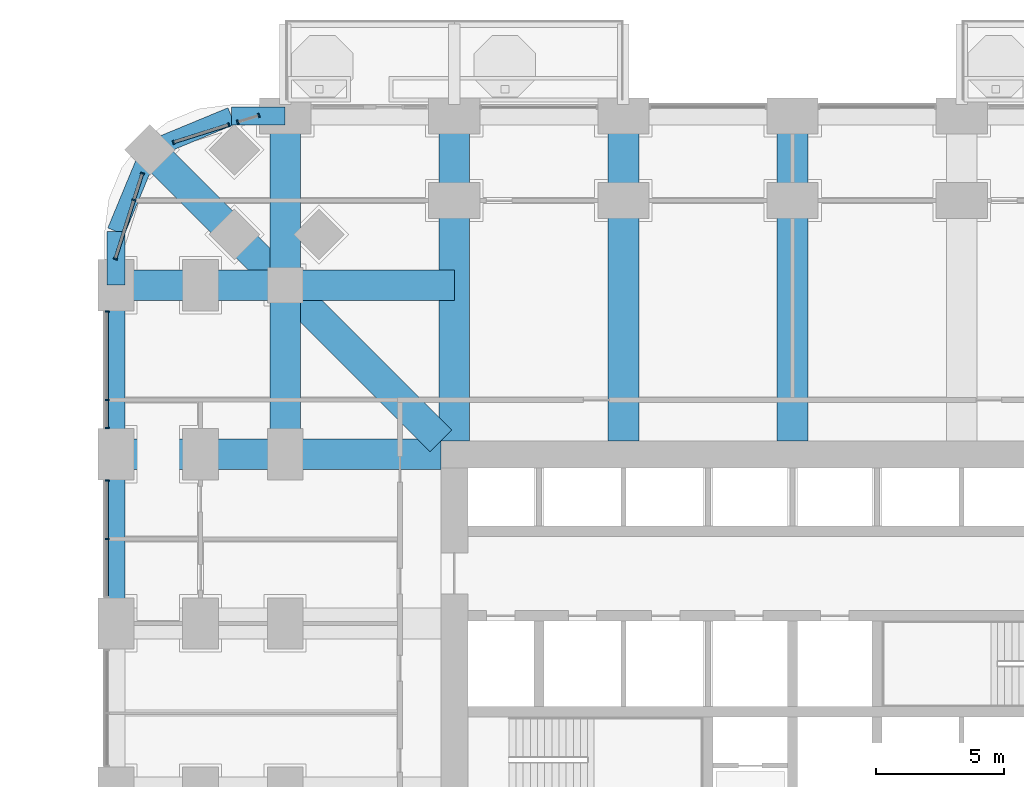
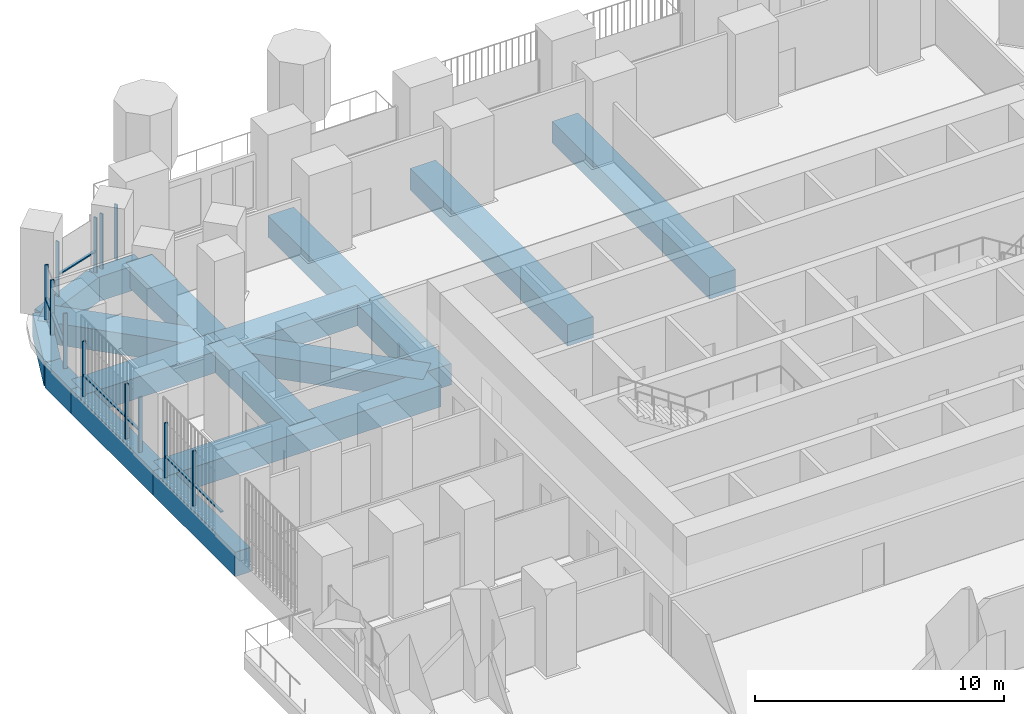
# One storey, part 7 of 25: 19 members, 16 beams, 5 elements without a shape of their own.
"""IFC4 building model written with IfcOpenShell, lengths in metres."""

from ifc_helpers import new_model, si_unit, direction, frame, origin, origin_2d, place, context, subcontext, project, spatial, rectangle, extrude, material, material_profile, profile_set, type_object, element, aggregate, save


model = new_model("IFC4")

# Units and contexts
model_context = context("Model", 3, precision=1e-05, world=origin(), true_north=direction((0.0, 1.0)))
body_context = subcontext(model_context, "Body", "Model", "MODEL_VIEW")
ifc_project = project(units=[si_unit("LENGTHUNIT", "METRE"), si_unit("AREAUNIT", "SQUARE_METRE"), si_unit("VOLUMEUNIT", "CUBIC_METRE"), si_unit("PLANEANGLEUNIT", "RADIAN"), si_unit("MASSUNIT", "GRAM", prefix="KILO")], contexts=[model_context])

# Site, building, storey
site_placement = place(None, origin())
site = spatial("IfcSite", under=ifc_project, at=site_placement, CompositionType="ELEMENT")
building_placement = place(site_placement, origin())
building = spatial("IfcBuilding", under=site, at=building_placement, Name="Cobogo Forest Laboratory Tower", CompositionType="ELEMENT")
storey_placement = place(building_placement, frame((0.0, 0.0, 21.300048828125)))
storey = spatial("IfcBuildingStorey", under=building, at=storey_placement, Name="L04", CompositionType="ELEMENT", Elevation=21.300048828125)

# Beams
ifc_material_1 = material(Name="Concrete HA-40 (C40/50)", Category="concrete")
ifc_material_profile_1 = material_profile(ifc_material_1, rectangle(XDim=1.199951171875, YDim=1.050048828125, at=origin_2d()), Name="RC 1200x1050")
ifc_profile_set_1 = profile_set([ifc_material_profile_1], Name="Concrete HA-40 (C40/50)")
beam_type_1 = type_object("IfcBeamType", Name="Laboratory floor wide beam 1200x1050", PredefinedType="BEAM", material=ifc_profile_set_1)
for number, where, z_axis, x_axis, name in (
    (1, (13.199951171875, 33.52490234375, -0.824951171875), (0.0, 1.0, 0.0), (-1.0, 0.0, 0.0), "RB1 R-3-N L04"),
    (2, (19.800048828125, 33.52490234375, -0.824951171875), (0.0, 1.0, 0.0), (-1.0, 0.0, 0.0), "RB1 R-4-N L04"),
    (3, (26.39990234375, 33.52490234375, -0.824951171875), (0.0, 1.0, 0.0), (-1.0, 0.0, 0.0), "RB1 R-5-N L04"),
    (4, (12.675048828125, 33.0, -0.824951171875), (-1.0, 0.0, 0.0), (0.0, -1.0, 0.0), "RB1 R-F-W L04"),
):
    element("IfcBeam", number, at=place(storey_placement, frame(where, z_axis=z_axis, x_axis=x_axis)), inside=storey, type_object=beam_type_1, Name=name, PredefinedType="BEAM", context=body_context, shape_type="SweptSolid", body=[
        extrude(rectangle(XDim=1.199951171875, YDim=1.050048828125, at=origin_2d()), origin(), (0.0, 0.0, 1.0), 12.675048828125),
    ])
beam_1_placement = place(storey_placement, frame((6.60009765625, 46.199951171875, -0.824951171875), z_axis=(0.0, -1.0, 0.0), x_axis=(1.0, 0.0, 0.0)))
element("IfcBeam", 5, at=beam_1_placement, inside=storey, type_object=beam_type_1, Name="RB1 G-NW-XF L04", PredefinedType="BEAM", context=body_context, shape_type="SweptSolid", body=[
    extrude(rectangle(XDim=1.199951171875, YDim=1.050048828125, at=origin_2d()), origin(), (0.0, 0.0, 1.0), 6.599853515625),
])
for number, where, z_axis, x_axis, name in (
    (6, (6.60009765625, 39.60009765625, -0.824951171875), (0.0, -1.0, 0.0), (1.0, 0.0, 0.0), "RB1 G-NW-XC L04"),
    (7, (0.0, 39.60009765625, -0.824951171875), (1.0, 0.0, 0.0), (0.0, 1.0, 0.0), "RB1 G-NW-YF L04"),
):
    element("IfcBeam", number, at=place(storey_placement, frame(where, z_axis=z_axis, x_axis=x_axis)), inside=storey, type_object=beam_type_1, Name=name, PredefinedType="BEAM", context=body_context, shape_type="SweptSolid", body=[
        extrude(rectangle(XDim=1.199951171875, YDim=1.050048828125, at=origin_2d()), origin(), (0.0, 0.0, 1.0), 6.60009765625),
    ])
beam_2_placement = place(storey_placement, frame((6.60009765625, 39.60009765625, -0.824951171875), z_axis=(1.0, 0.0, 0.0), x_axis=(0.0, 1.0, 0.0)))
element("IfcBeam", 8, at=beam_2_placement, inside=storey, type_object=beam_type_1, Name="RB1 G-NW-YC L04", PredefinedType="BEAM", context=body_context, shape_type="SweptSolid", body=[
    extrude(rectangle(XDim=1.199951171875, YDim=1.050048828125, at=origin_2d()), origin(), (0.0, 0.0, 1.0), 6.599853515625),
])
beam_3_placement = place(storey_placement, frame((1.318115234375, 44.882080078125, -0.824951171875), z_axis=(0.707106781187, -0.707106781187, 0.0), x_axis=(0.707106781187, 0.707106781187, 0.0)))
element("IfcBeam", 9, at=beam_3_placement, inside=storey, type_object=beam_type_1, Name="RB1 G-NW-D1 L04", PredefinedType="BEAM", context=body_context, shape_type="SweptSolid", body=[
    extrude(rectangle(XDim=1.199951171875, YDim=1.050048828125, at=origin_2d()), origin(), (0.0, 0.0, 1.0), 7.469970703125),
])
beam_4_placement = place(storey_placement, frame((6.60009765625, 39.60009765625, -0.824951171875), z_axis=(0.707092572697, -0.70712098939, 0.0), x_axis=(0.70712098939, 0.707092572697, 0.0)))
element("IfcBeam", 10, at=beam_4_placement, inside=storey, type_object=beam_type_1, Name="RB1 G-NW-D2 L04", PredefinedType="BEAM", context=body_context, shape_type="SweptSolid", body=[
    extrude(rectangle(XDim=1.199951171875, YDim=1.050048828125, at=origin_2d()), origin(), (0.0, 0.0, 1.0), 8.591552734375),
])

# Curtain wall, members
ifc_material_2 = material(Name="Aluminium curtain wall", Category="aluminium")
curtain_wall_type = type_object("IfcCurtainWallType", Name="CW-1 unitised curtain wall, clear glazing, laboratory floors zones A and B", PredefinedType="USERDEFINED", material=ifc_material_2)
curtain_wall_1_placement = place(storey_placement, origin())
curtain_wall_1 = element("IfcCurtainWall", 11, at=curtain_wall_1_placement, inside=storey, type_object=curtain_wall_type, Name="Curtain wall 24 L04", ObjectType="UNITISED CURTAIN WALL", PredefinedType="USERDEFINED")
ifc_material_3 = material(Name="Aluminium mullion", Category="aluminium")
ifc_material_profile_2 = material_profile(ifc_material_3, rectangle(XDim=0.06005859375, YDim=0.159912109375, at=origin_2d()), Name="AL 60x160")
ifc_profile_set_2 = profile_set([ifc_material_profile_2], Name="Aluminium mullion")
member_type_1 = type_object("IfcMemberType", Name="MU-1 aluminium mullion 60x160", PredefinedType="MULLION", material=ifc_profile_set_2)
member_1_placement = place(storey_placement, frame((5.5712890625, 46.22509765625, 0.0), z_axis=(0.0, 0.0, 1.0), x_axis=(-0.953581406818, -0.301135352577, 0.0)))
member_1 = element("IfcMember", 12, at=member_1_placement, type_object=member_type_1, Name="CW-1 mullion 1", PredefinedType="MULLION", context=body_context, shape_type="SweptSolid", body=[
    extrude(rectangle(XDim=0.06005859375, YDim=0.159912109375, at=origin_2d()), origin(), (0.0, 0.0, 1.0), 2.699951171875),
])
member_2_placement = place(storey_placement, frame((4.74658203125, 45.96484375, 0.0), z_axis=(0.0, 0.0, 1.0), x_axis=(-0.953581406818, -0.301135352577, 0.0)))
member_2 = element("IfcMember", 13, at=member_2_placement, type_object=member_type_1, Name="CW-1 mullion 2", PredefinedType="MULLION", context=body_context, shape_type="SweptSolid", body=[
    extrude(rectangle(XDim=0.06005859375, YDim=0.159912109375, at=origin_2d()), origin(), (0.0, 0.0, 1.0), 2.699951171875),
])
aggregate(curtain_wall_1, [member_1, member_2])

curtain_wall_2_placement = place(storey_placement, origin())
curtain_wall_2 = element("IfcCurtainWall", 14, at=curtain_wall_2_placement, inside=storey, type_object=curtain_wall_type, Name="Curtain wall 25 L04", ObjectType="UNITISED CURTAIN WALL", PredefinedType="USERDEFINED")
member_3_placement = place(storey_placement, frame((4.39697265625, 45.854248046875, 0.0), z_axis=(0.0, 0.0, 1.0), x_axis=(-0.953581409645, -0.301135343623, 0.0)))
member_3 = element("IfcMember", 15, at=member_3_placement, type_object=member_type_1, Name="CW-1 mullion 1", PredefinedType="MULLION", context=body_context, shape_type="SweptSolid", body=[
    extrude(rectangle(XDim=0.06005859375, YDim=0.159912109375, at=origin_2d()), origin(), (0.0, 0.0, 1.0), 2.699951171875),
])
member_4_placement = place(storey_placement, frame((2.23876953125, 45.1728515625, 0.0), z_axis=(0.0, 0.0, 1.0), x_axis=(-0.953581409645, -0.301135343623, 0.0)))
member_4 = element("IfcMember", 16, at=member_4_placement, type_object=member_type_1, Name="CW-1 mullion 2", PredefinedType="MULLION", context=body_context, shape_type="SweptSolid", body=[
    extrude(rectangle(XDim=0.06005859375, YDim=0.159912109375, at=origin_2d()), origin(), (0.0, 0.0, 1.0), 2.699951171875),
])

curtain_wall_3_placement = place(storey_placement, origin())
curtain_wall_3 = element("IfcCurtainWall", 17, at=curtain_wall_3_placement, inside=storey, type_object=curtain_wall_type, Name="Curtain wall 26 L04", ObjectType="UNITISED CURTAIN WALL", PredefinedType="USERDEFINED")
member_5_placement = place(storey_placement, frame((1.02734375, 43.961181640625, 0.0), z_axis=(0.0, 0.0, 1.0), x_axis=(-0.301135433696, -0.953581381201, 0.0)))
member_5 = element("IfcMember", 18, at=member_5_placement, type_object=member_type_1, Name="CW-1 mullion 1", PredefinedType="MULLION", context=body_context, shape_type="SweptSolid", body=[
    extrude(rectangle(XDim=0.06005859375, YDim=0.159912109375, at=origin_2d()), origin(), (0.0, 0.0, 1.0), 2.699951171875),
])
member_6_placement = place(storey_placement, frame((0.69970703125, 42.924072265625, 0.0), z_axis=(0.0, 0.0, 1.0), x_axis=(-0.301135433696, -0.953581381201, 0.0)))
member_6 = element("IfcMember", 19, at=member_6_placement, type_object=member_type_1, Name="CW-1 mullion 2", PredefinedType="MULLION", context=body_context, shape_type="SweptSolid", body=[
    extrude(rectangle(XDim=0.06005859375, YDim=0.159912109375, at=origin_2d()), origin(), (0.0, 0.0, 1.0), 2.699951171875),
])
member_7_placement = place(storey_placement, frame((-0.025146484375, 40.628662109375, 0.0), z_axis=(0.0, 0.0, 1.0), x_axis=(-0.301135433696, -0.953581381201, 0.0)))
member_7 = element("IfcMember", 20, at=member_7_placement, type_object=member_type_1, Name="CW-1 mullion 3", PredefinedType="MULLION", context=body_context, shape_type="SweptSolid", body=[
    extrude(rectangle(XDim=0.06005859375, YDim=0.159912109375, at=origin_2d()), origin(), (0.0, 0.0, 1.0), 2.699951171875),
])

curtain_wall_4_placement = place(storey_placement, origin())
curtain_wall_4 = element("IfcCurtainWall", 21, at=curtain_wall_4_placement, inside=storey, type_object=curtain_wall_type, Name="Curtain wall 27 L04", ObjectType="UNITISED CURTAIN WALL", PredefinedType="USERDEFINED")
member_8_placement = place(storey_placement, frame((-0.35009765625, 38.570068359375, 0.0), z_axis=(0.0, 0.0, 1.0), x_axis=(0.0, -1.0, 0.0)))
member_8 = element("IfcMember", 22, at=member_8_placement, type_object=member_type_1, Name="CW-1 mullion 1", PredefinedType="MULLION", context=body_context, shape_type="SweptSolid", body=[
    extrude(rectangle(XDim=0.06005859375, YDim=0.159912109375, at=origin_2d()), origin(), (0.0, 0.0, 1.0), 2.699951171875),
])
member_9_placement = place(storey_placement, frame((-0.35009765625, 35.125, 0.0), z_axis=(0.0, 0.0, 1.0), x_axis=(0.0, -1.0, 0.0)))
member_9 = element("IfcMember", 23, at=member_9_placement, type_object=member_type_1, Name="CW-1 mullion 2", PredefinedType="MULLION", context=body_context, shape_type="SweptSolid", body=[
    extrude(rectangle(XDim=0.06005859375, YDim=0.159912109375, at=origin_2d()), origin(), (0.0, 0.0, 1.0), 2.699951171875),
])
member_10_placement = place(storey_placement, frame((-0.35009765625, 34.030029296875, 0.0), z_axis=(0.0, 0.0, 1.0), x_axis=(0.0, -1.0, 0.0)))
member_10 = element("IfcMember", 24, at=member_10_placement, type_object=member_type_1, Name="CW-1 mullion 3", PredefinedType="MULLION", context=body_context, shape_type="SweptSolid", body=[
    extrude(rectangle(XDim=0.06005859375, YDim=0.159912109375, at=origin_2d()), origin(), (0.0, 0.0, 1.0), 2.699951171875),
])

curtain_wall_5_placement = place(storey_placement, origin())
curtain_wall_5 = element("IfcCurtainWall", 25, at=curtain_wall_5_placement, inside=storey, type_object=curtain_wall_type, Name="Curtain wall 28 L04", ObjectType="UNITISED CURTAIN WALL", PredefinedType="USERDEFINED")
member_11_placement = place(storey_placement, frame((-0.35009765625, 31.969970703125, 0.0), z_axis=(0.0, 0.0, 1.0), x_axis=(0.0, -1.0, 0.0)))
member_11 = element("IfcMember", 26, at=member_11_placement, type_object=member_type_1, Name="CW-1 mullion 1", PredefinedType="MULLION", context=body_context, shape_type="SweptSolid", body=[
    extrude(rectangle(XDim=0.06005859375, YDim=0.159912109375, at=origin_2d()), origin(), (0.0, 0.0, 1.0), 2.699951171875),
])
member_12_placement = place(storey_placement, frame((-0.35009765625, 29.699951171875, 0.0), z_axis=(0.0, 0.0, 1.0), x_axis=(0.0, -1.0, 0.0)))
member_12 = element("IfcMember", 27, at=member_12_placement, type_object=member_type_1, Name="CW-1 mullion 2", PredefinedType="MULLION", context=body_context, shape_type="SweptSolid", body=[
    extrude(rectangle(XDim=0.06005859375, YDim=0.159912109375, at=origin_2d()), origin(), (0.0, 0.0, 1.0), 2.699951171875),
])

# Beams
ifc_material_profile_3 = material_profile(ifc_material_1, rectangle(XDim=0.699951171875, YDim=1.199951171875, at=origin_2d()), Name="RC 700x1200")
ifc_profile_set_3 = profile_set([ifc_material_profile_3], Name="Concrete HA-40 (C40/50)")
beam_type_2 = type_object("IfcBeamType", Name="Perimeter edge beam 700x1200", PredefinedType="BEAM", material=ifc_profile_set_3)
for number, where, z_axis, x_axis, name in (
    (28, (0.0, 26.39990234375, -0.900146484375), (0.0, 1.0, 0.0), (-1.0, 0.0, 0.0), "EB1 E-W4 L04"),
    (29, (0.0, 33.0, -0.900146484375), (0.0, 1.0, 0.0), (-1.0, 0.0, 0.0), "EB1 E-W5 L04"),
):
    element("IfcBeam", number, at=place(storey_placement, frame(where, z_axis=z_axis, x_axis=x_axis)), inside=storey, type_object=beam_type_2, Name=name, PredefinedType="BEAM", context=body_context, shape_type="SweptSolid", body=[
        extrude(rectangle(XDim=0.699951171875, YDim=1.199951171875, at=origin_2d()), origin(), (0.0, 0.0, 1.0), 6.60009765625),
    ])
beam_5_placement = place(storey_placement, frame((6.60009765625, 46.199951171875, -0.900146484375), z_axis=(-1.0, 0.0, 0.0), x_axis=(0.0, -1.0, 0.0)))
element("IfcBeam", 30, at=beam_5_placement, inside=storey, type_object=beam_type_2, Name="EB1 E-NWN1 L04", PredefinedType="BEAM", context=body_context, shape_type="SweptSolid", body=[
    extrude(rectangle(XDim=0.699951171875, YDim=1.199951171875, at=origin_2d()), origin(), (0.0, 0.0, 1.0), 2.10009765625),
])
beam_6_placement = place(storey_placement, frame((4.5, 46.199951171875, -0.900146484375), z_axis=(-0.923890694089, -0.382656484822, 0.0), x_axis=(0.382656484822, -0.923890694089, 0.0)))
element("IfcBeam", 31, at=beam_6_placement, inside=storey, type_object=beam_type_2, Name="EB1 E-NWN2 L04", PredefinedType="BEAM", context=body_context, shape_type="SweptSolid", body=[
    extrude(rectangle(XDim=0.699951171875, YDim=1.199951171875, at=origin_2d()), origin(), (0.0, 0.0, 1.0), 3.444091796875),
])
beam_7_placement = place(storey_placement, frame((0.0, 39.60009765625, -0.900146484375), z_axis=(0.0, 1.0, 0.0), x_axis=(-1.0, 0.0, 0.0)))
element("IfcBeam", 32, at=beam_7_placement, inside=storey, type_object=beam_type_2, Name="EB1 E-NWW1 L04", PredefinedType="BEAM", context=body_context, shape_type="SweptSolid", body=[
    extrude(rectangle(XDim=0.699951171875, YDim=1.199951171875, at=origin_2d()), origin(), (0.0, 0.0, 1.0), 2.099853515625),
])
beam_8_placement = place(storey_placement, frame((0.0, 41.699951171875, -0.900146484375), z_axis=(0.382691928466, 0.923876013265, 0.0), x_axis=(-0.923876013265, 0.382691928466, 0.0)))
element("IfcBeam", 33, at=beam_8_placement, inside=storey, type_object=beam_type_2, Name="EB1 E-NWW2 L04", PredefinedType="BEAM", context=body_context, shape_type="SweptSolid", body=[
    extrude(rectangle(XDim=0.699951171875, YDim=1.199951171875, at=origin_2d()), origin(), (0.0, 0.0, 1.0), 3.4443359375),
])

# Member
ifc_material_4 = material(Name="Aluminium transom", Category="aluminium")
ifc_material_profile_4 = material_profile(ifc_material_4, rectangle(XDim=0.1201171875, YDim=0.06005859375, at=origin_2d()), Name="AL 60x120")
ifc_profile_set_4 = profile_set([ifc_material_profile_4], Name="Aluminium transom")
member_type_2 = type_object("IfcMemberType", Name="TR-1 aluminium transom 60x120", PredefinedType="USERDEFINED", material=ifc_profile_set_4)
member_13_placement = place(storey_placement, frame((4.368408203125, 45.84521484375, 1.050048828125), z_axis=(-0.953604433273, -0.301062426819, 0.0), x_axis=(0.301062426819, -0.953604433273, 0.0)))
member_13 = element("IfcMember", 34, at=member_13_placement, type_object=member_type_2, Name="CW-1 transom 1.1", ObjectType="TRANSOM", PredefinedType="USERDEFINED", context=body_context, shape_type="SweptSolid", body=[
    extrude(rectangle(XDim=0.1201171875, YDim=0.06005859375, at=origin_2d()), origin(), (0.0, 0.0, 1.0), 2.203369140625),
])

aggregate(curtain_wall_2, [member_3, member_4, member_13])

member_14_placement = place(storey_placement, frame((1.018310546875, 43.9326171875, 1.050048828125), z_axis=(-0.301222320394, -0.953553938535, 0.0), x_axis=(0.953553938535, -0.301222320394, 0.0)))
member_14 = element("IfcMember", 35, at=member_14_placement, type_object=member_type_2, Name="CW-1 transom 1.1", ObjectType="TRANSOM", PredefinedType="USERDEFINED", context=body_context, shape_type="SweptSolid", body=[
    extrude(rectangle(XDim=0.1201171875, YDim=0.06005859375, at=origin_2d()), origin(), (0.0, 0.0, 1.0), 1.02783203125),
])

member_15_placement = place(storey_placement, frame((0.690673828125, 42.8955078125, 1.050048828125), z_axis=(-0.301116434103, -0.953587380953, 0.0), x_axis=(0.953587380953, -0.301116434103, 0.0)))
member_15 = element("IfcMember", 36, at=member_15_placement, type_object=member_type_2, Name="CW-1 transom 2.1", ObjectType="TRANSOM", PredefinedType="USERDEFINED", context=body_context, shape_type="SweptSolid", body=[
    extrude(rectangle(XDim=0.1201171875, YDim=0.06005859375, at=origin_2d()), origin(), (0.0, 0.0, 1.0), 2.34716796875),
])

aggregate(curtain_wall_3, [member_5, member_6, member_7, member_14, member_15])

member_16_placement = place(storey_placement, frame((-0.35009765625, 38.5400390625, 1.050048828125), z_axis=(0.0, -1.0, 0.0), x_axis=(1.0, 0.0, 0.0)))
member_16 = element("IfcMember", 37, at=member_16_placement, type_object=member_type_2, Name="CW-1 transom 1.1", ObjectType="TRANSOM", PredefinedType="USERDEFINED", context=body_context, shape_type="SweptSolid", body=[
    extrude(rectangle(XDim=0.1201171875, YDim=0.06005859375, at=origin_2d()), origin(), (0.0, 0.0, 1.0), 3.385009765625),
])

member_17_placement = place(storey_placement, frame((-0.35009765625, 35.094970703125, 1.050048828125), z_axis=(0.0, -1.0, 0.0), x_axis=(1.0, 0.0, 0.0)))
member_17 = element("IfcMember", 38, at=member_17_placement, type_object=member_type_2, Name="CW-1 transom 2.1", ObjectType="TRANSOM", PredefinedType="USERDEFINED", context=body_context, shape_type="SweptSolid", body=[
    extrude(rectangle(XDim=0.1201171875, YDim=0.06005859375, at=origin_2d()), origin(), (0.0, 0.0, 1.0), 1.034912109375),
])

aggregate(curtain_wall_4, [member_8, member_9, member_10, member_16, member_17])

member_18_placement = place(storey_placement, frame((-0.35009765625, 31.93994140625, 1.050048828125), z_axis=(0.0, -1.0, 0.0), x_axis=(1.0, 0.0, 0.0)))
member_18 = element("IfcMember", 39, at=member_18_placement, type_object=member_type_2, Name="CW-1 transom 1.1", ObjectType="TRANSOM", PredefinedType="USERDEFINED", context=body_context, shape_type="SweptSolid", body=[
    extrude(rectangle(XDim=0.1201171875, YDim=0.06005859375, at=origin_2d()), origin(), (0.0, 0.0, 1.0), 2.2099609375),
])

member_19_placement = place(storey_placement, frame((-0.35009765625, 29.669921875, 1.050048828125), z_axis=(0.0, -1.0, 0.0), x_axis=(1.0, 0.0, 0.0)))
member_19 = element("IfcMember", 40, at=member_19_placement, type_object=member_type_2, Name="CW-1 transom 2.1", ObjectType="TRANSOM", PredefinedType="USERDEFINED", context=body_context, shape_type="SweptSolid", body=[
    extrude(rectangle(XDim=0.1201171875, YDim=0.06005859375, at=origin_2d()), origin(), (0.0, 0.0, 1.0), 2.2099609375),
])

aggregate(curtain_wall_5, [member_11, member_12, member_18, member_19])

save(model, "model.ifc")
